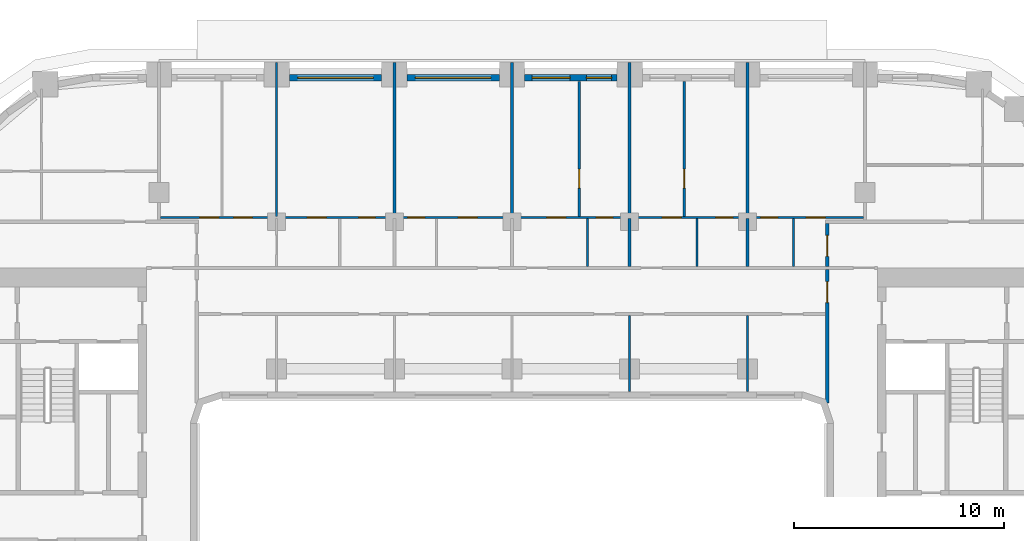
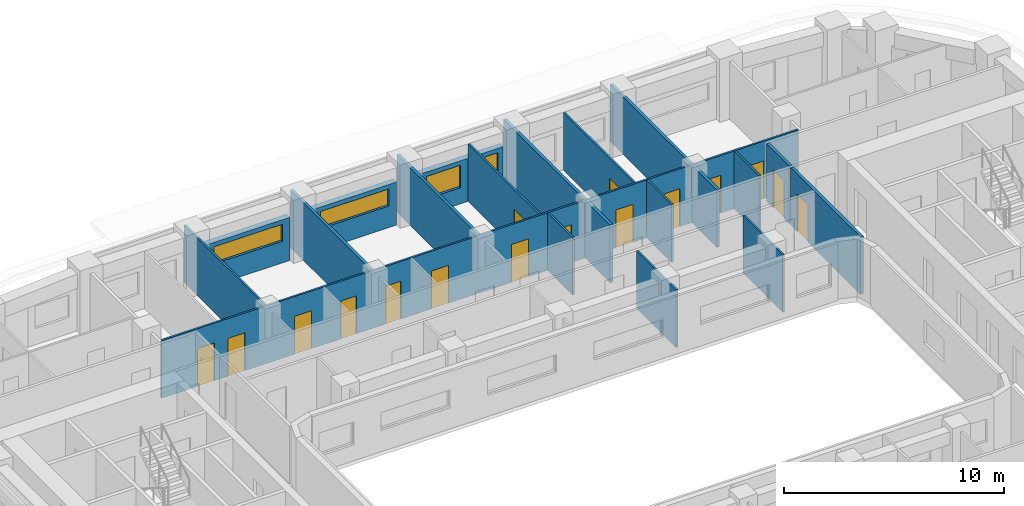
# One storey, part 10 of 23: 20 walls, 16 doors, 4 windows, 20 openings.
"""IFC4 building model written with IfcOpenShell, lengths in metres."""

from ifc_helpers import new_model, si_unit, direction, frame, frame_2d, origin, place, context, subcontext, project, spatial, rectangle, extrude, material, layer, layer_set, type_object, element, fill, save


model = new_model("IFC4")

# Units and contexts
model_context = context("Model", 3, precision=1e-05, world=origin(), true_north=direction((0.0, 1.0)))
body_context = subcontext(model_context, "Body", "Model", "MODEL_VIEW")
ifc_project = project(units=[si_unit("LENGTHUNIT", "METRE"), si_unit("AREAUNIT", "SQUARE_METRE"), si_unit("VOLUMEUNIT", "CUBIC_METRE"), si_unit("PLANEANGLEUNIT", "RADIAN"), si_unit("MASSUNIT", "GRAM", prefix="KILO")], contexts=[model_context])

# Site, building, storey
site_placement = place(None, origin())
site = spatial("IfcSite", under=ifc_project, at=site_placement, CompositionType="ELEMENT")
building_placement = place(site_placement, origin())
building = spatial("IfcBuilding", under=site, at=building_placement, Name="Kiln Ring Residences", CompositionType="ELEMENT")
storey_placement = place(building_placement, frame((0.0, 0.0, 118.300048828125)))
storey = spatial("IfcBuildingStorey", under=building, at=storey_placement, Name="L30", CompositionType="ELEMENT", Elevation=118.300048828125)

# Wall, openings, windows
ifc_material_1 = material(Name="Brick masonry, dark clay brick", Category="masonry")
ifc_layer_1 = layer(ifc_material_1, 0.300048828125)
ifc_layer_set_1 = layer_set([ifc_layer_1], Name="EW-300 BRICK WALL")
wall_type_1 = type_object("IfcWallType", Name="EW-300 BRICK WALL", PredefinedType="SOLIDWALL", material=ifc_layer_set_1)
wall_1_placement = place(storey_placement, frame((5.0, 22.25, 0.0), z_axis=(0.0, 0.0, 1.0), x_axis=(-1.0, 0.0, 0.0)))
wall_1 = element("IfcWall", 1, at=wall_1_placement, inside=storey, type_object=wall_type_1, Name="Facade wall L30 31", PredefinedType="SOLIDWALL", context=body_context, shape_type="SweptSolid", body=[
    extrude(rectangle(XDim=4.39990234375, YDim=0.300048828125, at=frame_2d((2.199951171875, 0.0))), origin(), (0.0, 0.0, 1.0), 2.39990234375),
])
opening_1_placement = place(wall_1_placement, frame((0.262451171875, 0.0, 0.60009765625)))
opening_1 = element("IfcOpeningElement", 2, at=opening_1_placement, cuts=wall_1, Name="Opening W1", PredefinedType="OPENING", context=body_context, shape_type="SweptSolid", body=[
    extrude(rectangle(XDim=1.199951171875, YDim=1.550048828125, at=frame_2d((0.60009765625, 0.77490234375))), frame((0.0, 0.159912109375, 0.0), z_axis=(0.0, -1.0, 0.0), x_axis=(1.0, 0.0, 0.0)), (0.0, 0.0, 1.0), 0.320068359375),
])
opening_2_placement = place(wall_1_placement, frame((2.237548828125, 0.0, 0.89990234375)))
opening_2 = element("IfcOpeningElement", 3, at=opening_2_placement, cuts=wall_1, Name="Opening W2", PredefinedType="OPENING", context=body_context, shape_type="SweptSolid", body=[
    extrude(rectangle(XDim=1.800048828125, YDim=1.25, at=frame_2d((0.89990234375, 0.625))), frame((0.0, 0.159912109375, 0.0), z_axis=(0.0, -1.0, 0.0), x_axis=(1.0, 0.0, 0.0)), (0.0, 0.0, 1.0), 0.320068359375),
])
ifc_material_2 = material(Name="Aluminium frame with double glazing", Category="aluminium")
window_type_1 = type_object("IfcWindowType", Name="WINDOW 1200 x 1550", PartitioningType="SINGLE_PANEL", PredefinedType="WINDOW", material=ifc_material_2)
window_1_placement = place(opening_1_placement, origin())
window_1 = element("IfcWindow", 4, at=window_1_placement, inside=storey, type_object=window_type_1, Name="Window L30 18", OverallHeight=1.550048828125, OverallWidth=1.199951171875, PartitioningType="SINGLE_PANEL", PredefinedType="WINDOW", context=body_context, shape_type="SweptSolid", body=[
    extrude(rectangle(XDim=1.199951171875, YDim=1.550048828125, at=frame_2d((0.60009765625, 0.77490234375))), frame((0.0, 0.030029296875, 0.0), z_axis=(0.0, -1.0, 0.0), x_axis=(1.0, 0.0, 0.0)), (0.0, 0.0, 1.0), 0.06005859375),
])
fill(opening_1, window_1)
ifc_material_3 = material(Name="Aluminium frame with double glazing", Category="aluminium")
window_type_2 = type_object("IfcWindowType", Name="WINDOW 1800 x 1250", PartitioningType="SINGLE_PANEL", PredefinedType="WINDOW", material=ifc_material_3)
window_2_placement = place(opening_2_placement, origin())
window_2 = element("IfcWindow", 5, at=window_2_placement, inside=storey, type_object=window_type_2, Name="Window L30 19", OverallHeight=1.25, OverallWidth=1.800048828125, PartitioningType="SINGLE_PANEL", PredefinedType="WINDOW", context=body_context, shape_type="SweptSolid", body=[
    extrude(rectangle(XDim=1.800048828125, YDim=1.25, at=frame_2d((0.89990234375, 0.625))), frame((0.0, 0.030029296875, 0.0), z_axis=(0.0, -1.0, 0.0), x_axis=(1.0, 0.0, 0.0)), (0.0, 0.0, 1.0), 0.06005859375),
])
fill(opening_2, window_2)

# Wall, opening, window
wall_2_placement = place(storey_placement, frame((-0.60009765625, 22.25, 0.0), z_axis=(0.0, 0.0, 1.0), x_axis=(-1.0, 0.0, 0.0)))
wall_2 = element("IfcWall", 6, at=wall_2_placement, inside=storey, type_object=wall_type_1, Name="Facade wall L30 32", PredefinedType="SOLIDWALL", context=body_context, shape_type="SweptSolid", body=[
    extrude(rectangle(XDim=4.39990234375, YDim=0.300048828125, at=frame_2d((2.199951171875, 0.0))), origin(), (0.0, 0.0, 1.0), 2.39990234375),
])
opening_3_placement = place(wall_2_placement, frame((0.39990234375, 0.0, 1.199951171875)))
opening_3 = element("IfcOpeningElement", 7, at=opening_3_placement, cuts=wall_2, Name="Opening W4", PredefinedType="OPENING", context=body_context, shape_type="SweptSolid", body=[
    extrude(rectangle(XDim=3.60009765625, YDim=0.949951171875, at=frame_2d((1.800048828125, 0.47509765625))), frame((0.0, 0.159912109375, 0.0), z_axis=(0.0, -1.0, 0.0), x_axis=(1.0, 0.0, 0.0)), (0.0, 0.0, 1.0), 0.320068359375),
])
ifc_material_4 = material(Name="Aluminium frame with double glazing", Category="aluminium")
window_type_3 = type_object("IfcWindowType", Name="WINDOW 3600 x 950", PartitioningType="SINGLE_PANEL", PredefinedType="WINDOW", material=ifc_material_4)
window_3_placement = place(opening_3_placement, origin())
window_3 = element("IfcWindow", 8, at=window_3_placement, inside=storey, type_object=window_type_3, Name="Window L30 20", OverallHeight=0.949951171875, OverallWidth=3.60009765625, PartitioningType="SINGLE_PANEL", PredefinedType="WINDOW", context=body_context, shape_type="SweptSolid", body=[
    extrude(rectangle(XDim=3.60009765625, YDim=0.949951171875, at=frame_2d((1.800048828125, 0.47509765625))), frame((0.0, 0.030029296875, 0.0), z_axis=(0.0, -1.0, 0.0), x_axis=(1.0, 0.0, 0.0)), (0.0, 0.0, 1.0), 0.06005859375),
])
fill(opening_3, window_3)

wall_3_placement = place(storey_placement, frame((-6.199951171875, 22.25, 0.0), z_axis=(0.0, 0.0, 1.0), x_axis=(-1.0, 0.0, 0.0)))
wall_3 = element("IfcWall", 9, at=wall_3_placement, inside=storey, type_object=wall_type_1, Name="Facade wall L30 33", PredefinedType="SOLIDWALL", context=body_context, shape_type="SweptSolid", body=[
    extrude(rectangle(XDim=4.400146484375, YDim=0.300048828125, at=frame_2d((2.2001953125, 0.0))), origin(), (0.0, 0.0, 1.0), 2.39990234375),
])
opening_4_placement = place(wall_3_placement, frame((0.39990234375, 0.0, 1.199951171875)))
opening_4 = element("IfcOpeningElement", 10, at=opening_4_placement, cuts=wall_3, Name="Opening W4", PredefinedType="OPENING", context=body_context, shape_type="SweptSolid", body=[
    extrude(rectangle(XDim=3.60009765625, YDim=0.949951171875, at=frame_2d((1.800048828125, 0.47509765625))), frame((0.0, 0.159912109375, 0.0), z_axis=(0.0, -1.0, 0.0), x_axis=(1.0, 0.0, 0.0)), (0.0, 0.0, 1.0), 0.320068359375),
])
window_4_placement = place(opening_4_placement, origin())
window_4 = element("IfcWindow", 11, at=window_4_placement, inside=storey, type_object=window_type_3, Name="Window L30 21", OverallHeight=0.949951171875, OverallWidth=3.60009765625, PartitioningType="SINGLE_PANEL", PredefinedType="WINDOW", context=body_context, shape_type="SweptSolid", body=[
    extrude(rectangle(XDim=3.60009765625, YDim=0.949951171875, at=frame_2d((1.800048828125, 0.47509765625))), frame((0.0, 0.030029296875, 0.0), z_axis=(0.0, -1.0, 0.0), x_axis=(1.0, 0.0, 0.0)), (0.0, 0.0, 1.0), 0.06005859375),
])
fill(opening_4, window_4)

# Wall, openings, doors
ifc_material_5 = material(Name="Gypsum board on steel studs", Category="steel")
ifc_layer_2 = layer(ifc_material_5, 0.10009765625)
ifc_layer_set_2 = layer_set([ifc_layer_2], Name="PARTITION-100")
wall_type_2 = type_object("IfcWallType", Name="PARTITION-100", PredefinedType="PARTITIONING", material=ifc_layer_set_2)
wall_4_placement = place(storey_placement, frame((-16.72509765625, 15.60009765625, 0.0), z_axis=(0.0, 0.0, 1.0), x_axis=(1.0, 0.0, 0.0)))
wall_4 = element("IfcWall", 12, at=wall_4_placement, inside=storey, type_object=wall_type_2, Name="Partition 011", PredefinedType="PARTITIONING", context=body_context, shape_type="SweptSolid", body=[
    extrude(rectangle(XDim=33.4501953125, YDim=0.10009765625, at=frame_2d((16.72509765625, 0.0))), origin(), (0.0, 0.0, 1.0), 3.199951171875),
])
opening_5_placement = place(wall_4_placement, frame((9.425048828125, 0.0, 0.0)))
opening_5 = element("IfcOpeningElement", 13, at=opening_5_placement, cuts=wall_4, Name="Opening L30-D017", PredefinedType="OPENING", context=body_context, shape_type="SweptSolid", body=[
    extrude(rectangle(XDim=0.800048828125, YDim=2.10009765625, at=frame_2d((0.39990234375, 1.050048828125))), frame((0.0, 0.06005859375, 0.0), z_axis=(0.0, -1.0, 0.0), x_axis=(1.0, 0.0, 0.0)), (0.0, 0.0, 1.0), 0.1201171875),
])
opening_6_placement = place(wall_4_placement, frame((6.97509765625, 0.0, 0.0)))
opening_6 = element("IfcOpeningElement", 14, at=opening_6_placement, cuts=wall_4, Name="Opening L30-D018", PredefinedType="OPENING", context=body_context, shape_type="SweptSolid", body=[
    extrude(rectangle(XDim=0.89990234375, YDim=2.10009765625, at=frame_2d((0.449951171875, 1.050048828125))), frame((0.0, 0.06005859375, 0.0), z_axis=(0.0, -1.0, 0.0), x_axis=(1.0, 0.0, 0.0)), (0.0, 0.0, 1.0), 0.1201171875),
])
opening_7_placement = place(wall_4_placement, frame((1.875, 0.0, 0.0)))
opening_7 = element("IfcOpeningElement", 15, at=opening_7_placement, cuts=wall_4, Name="Opening L30-D019", PredefinedType="OPENING", context=body_context, shape_type="SweptSolid", body=[
    extrude(rectangle(XDim=0.89990234375, YDim=2.10009765625, at=frame_2d((0.449951171875, 1.050048828125))), frame((0.0, 0.06005859375, 0.0), z_axis=(0.0, -1.0, 0.0), x_axis=(1.0, 0.0, 0.0)), (0.0, 0.0, 1.0), 0.1201171875),
])
opening_8_placement = place(wall_4_placement, frame((3.47509765625, 0.0, 0.0)))
opening_8 = element("IfcOpeningElement", 16, at=opening_8_placement, cuts=wall_4, Name="Opening L30-D020", PredefinedType="OPENING", context=body_context, shape_type="SweptSolid", body=[
    extrude(rectangle(XDim=0.89990234375, YDim=2.10009765625, at=frame_2d((0.449951171875, 1.050048828125))), frame((0.0, 0.06005859375, 0.0), z_axis=(0.0, -1.0, 0.0), x_axis=(1.0, 0.0, 0.0)), (0.0, 0.0, 1.0), 0.1201171875),
])
opening_9_placement = place(wall_4_placement, frame((11.77490234375, 0.0, 0.0)))
opening_9 = element("IfcOpeningElement", 17, at=opening_9_placement, cuts=wall_4, Name="Opening L30-D022", PredefinedType="OPENING", context=body_context, shape_type="SweptSolid", body=[
    extrude(rectangle(XDim=0.800048828125, YDim=2.10009765625, at=frame_2d((0.39990234375, 1.050048828125))), frame((0.0, 0.06005859375, 0.0), z_axis=(0.0, -1.0, 0.0), x_axis=(1.0, 0.0, 0.0)), (0.0, 0.0, 1.0), 0.1201171875),
])
opening_10_placement = place(wall_4_placement, frame((14.175048828125, 0.0, 0.0)))
opening_10 = element("IfcOpeningElement", 18, at=opening_10_placement, cuts=wall_4, Name="Opening L30-D023", PredefinedType="OPENING", context=body_context, shape_type="SweptSolid", body=[
    extrude(rectangle(XDim=0.89990234375, YDim=2.10009765625, at=frame_2d((0.449951171875, 1.050048828125))), frame((0.0, 0.06005859375, 0.0), z_axis=(0.0, -1.0, 0.0), x_axis=(1.0, 0.0, 0.0)), (0.0, 0.0, 1.0), 0.1201171875),
])
opening_11_placement = place(wall_4_placement, frame((20.72509765625, 0.0, 0.0)))
opening_11 = element("IfcOpeningElement", 19, at=opening_11_placement, cuts=wall_4, Name="Opening L30-D025", PredefinedType="OPENING", context=body_context, shape_type="SweptSolid", body=[
    extrude(rectangle(XDim=0.800048828125, YDim=2.10009765625, at=frame_2d((0.39990234375, 1.050048828125))), frame((0.0, 0.06005859375, 0.0), z_axis=(0.0, -1.0, 0.0), x_axis=(1.0, 0.0, 0.0)), (0.0, 0.0, 1.0), 0.1201171875),
])
opening_12_placement = place(wall_4_placement, frame((18.375, 0.0, 0.0)))
opening_12 = element("IfcOpeningElement", 20, at=opening_12_placement, cuts=wall_4, Name="Opening L30-D026", PredefinedType="OPENING", context=body_context, shape_type="SweptSolid", body=[
    extrude(rectangle(XDim=0.89990234375, YDim=2.10009765625, at=frame_2d((0.449951171875, 1.050048828125))), frame((0.0, 0.06005859375, 0.0), z_axis=(0.0, -1.0, 0.0), x_axis=(1.0, 0.0, 0.0)), (0.0, 0.0, 1.0), 0.1201171875),
])
opening_13_placement = place(wall_4_placement, frame((26.425048828125, 0.0, 0.0)))
opening_13 = element("IfcOpeningElement", 21, at=opening_13_placement, cuts=wall_4, Name="Opening L30-D029", PredefinedType="OPENING", context=body_context, shape_type="SweptSolid", body=[
    extrude(rectangle(XDim=0.800048828125, YDim=2.10009765625, at=frame_2d((0.39990234375, 1.050048828125))), frame((0.0, 0.06005859375, 0.0), z_axis=(0.0, -1.0, 0.0), x_axis=(1.0, 0.0, 0.0)), (0.0, 0.0, 1.0), 0.1201171875),
])
opening_14_placement = place(wall_4_placement, frame((23.875, 0.0, 0.0)))
opening_14 = element("IfcOpeningElement", 22, at=opening_14_placement, cuts=wall_4, Name="Opening L30-D030", PredefinedType="OPENING", context=body_context, shape_type="SweptSolid", body=[
    extrude(rectangle(XDim=0.89990234375, YDim=2.10009765625, at=frame_2d((0.449951171875, 1.050048828125))), frame((0.0, 0.06005859375, 0.0), z_axis=(0.0, -1.0, 0.0), x_axis=(1.0, 0.0, 0.0)), (0.0, 0.0, 1.0), 0.1201171875),
])
opening_15_placement = place(wall_4_placement, frame((28.574951171875, 0.0, 0.0)))
opening_15 = element("IfcOpeningElement", 23, at=opening_15_placement, cuts=wall_4, Name="Opening L30-D033", PredefinedType="OPENING", context=body_context, shape_type="SweptSolid", body=[
    extrude(rectangle(XDim=0.800048828125, YDim=2.10009765625, at=frame_2d((0.39990234375, 1.050048828125))), frame((0.0, 0.06005859375, 0.0), z_axis=(0.0, -1.0, 0.0), x_axis=(1.0, 0.0, 0.0)), (0.0, 0.0, 1.0), 0.1201171875),
])
opening_16_placement = place(wall_4_placement, frame((30.72509765625, 0.0, 0.0)))
opening_16 = element("IfcOpeningElement", 24, at=opening_16_placement, cuts=wall_4, Name="Opening L30-D034", PredefinedType="OPENING", context=body_context, shape_type="SweptSolid", body=[
    extrude(rectangle(XDim=0.89990234375, YDim=2.10009765625, at=frame_2d((0.449951171875, 1.050048828125))), frame((0.0, 0.06005859375, 0.0), z_axis=(0.0, -1.0, 0.0), x_axis=(1.0, 0.0, 0.0)), (0.0, 0.0, 1.0), 0.1201171875),
])
ifc_material_6 = material(Name="Timber door leaf", Category="wood")
door_type_1 = type_object("IfcDoorType", Name="FLAT-DOOR-800-PL", OperationType="SINGLE_SWING_LEFT", PredefinedType="DOOR", material=ifc_material_6)
door_1_placement = place(opening_5_placement, origin())
door_1 = element("IfcDoor", 25, at=door_1_placement, inside=storey, type_object=door_type_1, Name="Door L30-D017", OperationType="SINGLE_SWING_LEFT", OverallHeight=2.10009765625, OverallWidth=0.800048828125, PredefinedType="DOOR", context=body_context, shape_type="SweptSolid", body=[
    extrude(rectangle(XDim=0.800048828125, YDim=2.10009765625, at=frame_2d((0.39990234375, 1.050048828125))), frame((0.0, 0.02490234375, 0.0), z_axis=(0.0, -1.0, 0.0), x_axis=(1.0, 0.0, 0.0)), (0.0, 0.0, 1.0), 0.050048828125),
])
fill(opening_5, door_1)
door_2_placement = place(opening_9_placement, origin())
door_2 = element("IfcDoor", 26, at=door_2_placement, inside=storey, type_object=door_type_1, Name="Door L30-D022", OperationType="SINGLE_SWING_RIGHT", OverallHeight=2.10009765625, OverallWidth=0.800048828125, PredefinedType="DOOR", context=body_context, shape_type="SweptSolid", body=[
    extrude(rectangle(XDim=0.800048828125, YDim=2.10009765625, at=frame_2d((0.39990234375, 1.050048828125))), frame((0.0, 0.02490234375, 0.0), z_axis=(0.0, -1.0, 0.0), x_axis=(1.0, 0.0, 0.0)), (0.0, 0.0, 1.0), 0.050048828125),
])
fill(opening_9, door_2)
door_3_placement = place(opening_11_placement, origin())
door_3 = element("IfcDoor", 27, at=door_3_placement, inside=storey, type_object=door_type_1, Name="Door L30-D025", OperationType="SINGLE_SWING_LEFT", OverallHeight=2.10009765625, OverallWidth=0.800048828125, PredefinedType="DOOR", context=body_context, shape_type="SweptSolid", body=[
    extrude(rectangle(XDim=0.800048828125, YDim=2.10009765625, at=frame_2d((0.39990234375, 1.050048828125))), frame((0.0, 0.02490234375, 0.0), z_axis=(0.0, -1.0, 0.0), x_axis=(1.0, 0.0, 0.0)), (0.0, 0.0, 1.0), 0.050048828125),
])
fill(opening_11, door_3)
door_4_placement = place(opening_13_placement, origin())
door_4 = element("IfcDoor", 28, at=door_4_placement, inside=storey, type_object=door_type_1, Name="Door L30-D029", OperationType="SINGLE_SWING_LEFT", OverallHeight=2.10009765625, OverallWidth=0.800048828125, PredefinedType="DOOR", context=body_context, shape_type="SweptSolid", body=[
    extrude(rectangle(XDim=0.800048828125, YDim=2.10009765625, at=frame_2d((0.39990234375, 1.050048828125))), frame((0.0, 0.02490234375, 0.0), z_axis=(0.0, -1.0, 0.0), x_axis=(1.0, 0.0, 0.0)), (0.0, 0.0, 1.0), 0.050048828125),
])
fill(opening_13, door_4)
door_5_placement = place(opening_15_placement, origin())
door_5 = element("IfcDoor", 29, at=door_5_placement, inside=storey, type_object=door_type_1, Name="Door L30-D033", OperationType="SINGLE_SWING_LEFT", OverallHeight=2.10009765625, OverallWidth=0.800048828125, PredefinedType="DOOR", context=body_context, shape_type="SweptSolid", body=[
    extrude(rectangle(XDim=0.800048828125, YDim=2.10009765625, at=frame_2d((0.39990234375, 1.050048828125))), frame((0.0, 0.02490234375, 0.0), z_axis=(0.0, -1.0, 0.0), x_axis=(1.0, 0.0, 0.0)), (0.0, 0.0, 1.0), 0.050048828125),
])
fill(opening_15, door_5)
ifc_material_7 = material(Name="Timber door leaf", Category="wood")
door_type_2 = type_object("IfcDoorType", Name="FLAT-DOOR-900-PL", OperationType="SINGLE_SWING_LEFT", PredefinedType="DOOR", material=ifc_material_7)
door_6_placement = place(opening_6_placement, origin())
door_6 = element("IfcDoor", 30, at=door_6_placement, inside=storey, type_object=door_type_2, Name="Door L30-D018", OperationType="SINGLE_SWING_LEFT", OverallHeight=2.10009765625, OverallWidth=0.89990234375, PredefinedType="DOOR", context=body_context, shape_type="SweptSolid", body=[
    extrude(rectangle(XDim=0.89990234375, YDim=2.10009765625, at=frame_2d((0.449951171875, 1.050048828125))), frame((0.0, 0.02490234375, 0.0), z_axis=(0.0, -1.0, 0.0), x_axis=(1.0, 0.0, 0.0)), (0.0, 0.0, 1.0), 0.050048828125),
])
fill(opening_6, door_6)
door_7_placement = place(opening_7_placement, origin())
door_7 = element("IfcDoor", 31, at=door_7_placement, inside=storey, type_object=door_type_2, Name="Door L30-D019", OperationType="SINGLE_SWING_LEFT", OverallHeight=2.10009765625, OverallWidth=0.89990234375, PredefinedType="DOOR", context=body_context, shape_type="SweptSolid", body=[
    extrude(rectangle(XDim=0.89990234375, YDim=2.10009765625, at=frame_2d((0.449951171875, 1.050048828125))), frame((0.0, 0.02490234375, 0.0), z_axis=(0.0, -1.0, 0.0), x_axis=(1.0, 0.0, 0.0)), (0.0, 0.0, 1.0), 0.050048828125),
])
fill(opening_7, door_7)
door_8_placement = place(opening_8_placement, origin())
door_8 = element("IfcDoor", 32, at=door_8_placement, inside=storey, type_object=door_type_2, Name="Door L30-D020", OperationType="SINGLE_SWING_RIGHT", OverallHeight=2.10009765625, OverallWidth=0.89990234375, PredefinedType="DOOR", context=body_context, shape_type="SweptSolid", body=[
    extrude(rectangle(XDim=0.89990234375, YDim=2.10009765625, at=frame_2d((0.449951171875, 1.050048828125))), frame((0.0, 0.02490234375, 0.0), z_axis=(0.0, -1.0, 0.0), x_axis=(1.0, 0.0, 0.0)), (0.0, 0.0, 1.0), 0.050048828125),
])
fill(opening_8, door_8)
door_9_placement = place(opening_10_placement, origin())
door_9 = element("IfcDoor", 33, at=door_9_placement, inside=storey, type_object=door_type_2, Name="Door L30-D023", OperationType="SINGLE_SWING_RIGHT", OverallHeight=2.10009765625, OverallWidth=0.89990234375, PredefinedType="DOOR", context=body_context, shape_type="SweptSolid", body=[
    extrude(rectangle(XDim=0.89990234375, YDim=2.10009765625, at=frame_2d((0.449951171875, 1.050048828125))), frame((0.0, 0.02490234375, 0.0), z_axis=(0.0, -1.0, 0.0), x_axis=(1.0, 0.0, 0.0)), (0.0, 0.0, 1.0), 0.050048828125),
])
fill(opening_10, door_9)
door_10_placement = place(opening_12_placement, origin())
door_10 = element("IfcDoor", 34, at=door_10_placement, inside=storey, type_object=door_type_2, Name="Door L30-D026", OperationType="SINGLE_SWING_LEFT", OverallHeight=2.10009765625, OverallWidth=0.89990234375, PredefinedType="DOOR", context=body_context, shape_type="SweptSolid", body=[
    extrude(rectangle(XDim=0.89990234375, YDim=2.10009765625, at=frame_2d((0.449951171875, 1.050048828125))), frame((0.0, 0.02490234375, 0.0), z_axis=(0.0, -1.0, 0.0), x_axis=(1.0, 0.0, 0.0)), (0.0, 0.0, 1.0), 0.050048828125),
])
fill(opening_12, door_10)
door_11_placement = place(opening_14_placement, origin())
door_11 = element("IfcDoor", 35, at=door_11_placement, inside=storey, type_object=door_type_2, Name="Door L30-D030", OperationType="SINGLE_SWING_LEFT", OverallHeight=2.10009765625, OverallWidth=0.89990234375, PredefinedType="DOOR", context=body_context, shape_type="SweptSolid", body=[
    extrude(rectangle(XDim=0.89990234375, YDim=2.10009765625, at=frame_2d((0.449951171875, 1.050048828125))), frame((0.0, 0.02490234375, 0.0), z_axis=(0.0, -1.0, 0.0), x_axis=(1.0, 0.0, 0.0)), (0.0, 0.0, 1.0), 0.050048828125),
])
fill(opening_14, door_11)
door_12_placement = place(opening_16_placement, origin())
door_12 = element("IfcDoor", 36, at=door_12_placement, inside=storey, type_object=door_type_2, Name="Door L30-D034", OperationType="SINGLE_SWING_RIGHT", OverallHeight=2.10009765625, OverallWidth=0.89990234375, PredefinedType="DOOR", context=body_context, shape_type="SweptSolid", body=[
    extrude(rectangle(XDim=0.89990234375, YDim=2.10009765625, at=frame_2d((0.449951171875, 1.050048828125))), frame((0.0, 0.02490234375, 0.0), z_axis=(0.0, -1.0, 0.0), x_axis=(1.0, 0.0, 0.0)), (0.0, 0.0, 1.0), 0.050048828125),
])
fill(opening_16, door_12)

# Wall
wall_5_placement = place(storey_placement, frame((-11.199951171875, 15.64990234375, 0.0), z_axis=(0.0, 0.0, 1.0), x_axis=(0.0, 1.0, 0.0)))
element("IfcWall", 37, at=wall_5_placement, inside=storey, type_object=wall_type_2, Name="Partition 030", PredefinedType="PARTITIONING", context=body_context, shape_type="SweptSolid", body=[
    extrude(rectangle(XDim=7.330078125, YDim=0.10009765625, at=frame_2d((3.6650390625, 0.0))), origin(), (0.0, 0.0, 1.0), 3.199951171875),
])

# Wall, opening, door
wall_6_placement = place(storey_placement, frame((3.199951171875, 15.64990234375, 0.0), z_axis=(0.0, 0.0, 1.0), x_axis=(0.0, 1.0, 0.0)))
wall_6 = element("IfcWall", 38, at=wall_6_placement, inside=storey, type_object=wall_type_2, Name="Partition 049", PredefinedType="PARTITIONING", context=body_context, shape_type="SweptSolid", body=[
    extrude(rectangle(XDim=6.43017578125, YDim=0.10009765625, at=frame_2d((3.215087890625, 0.0))), origin(), (0.0, 0.0, 1.0), 3.199951171875),
])
opening_17_placement = place(wall_6_placement, frame((1.35009765625, 0.0, 0.0)))
opening_17 = element("IfcOpeningElement", 39, at=opening_17_placement, cuts=wall_6, Name="Opening L30-D027", PredefinedType="OPENING", context=body_context, shape_type="SweptSolid", body=[
    extrude(rectangle(XDim=0.89990234375, YDim=2.10009765625, at=frame_2d((0.449951171875, 1.050048828125))), frame((0.0, 0.06005859375, 0.0), z_axis=(0.0, -1.0, 0.0), x_axis=(1.0, 0.0, 0.0)), (0.0, 0.0, 1.0), 0.1201171875),
])
door_13_placement = place(opening_17_placement, origin())
door_13 = element("IfcDoor", 40, at=door_13_placement, inside=storey, type_object=door_type_2, Name="Door L30-D027", OperationType="SINGLE_SWING_LEFT", OverallHeight=2.10009765625, OverallWidth=0.89990234375, PredefinedType="DOOR", context=body_context, shape_type="SweptSolid", body=[
    extrude(rectangle(XDim=0.89990234375, YDim=2.10009765625, at=frame_2d((0.449951171875, 1.050048828125))), frame((0.0, 0.02490234375, 0.0), z_axis=(0.0, -1.0, 0.0), x_axis=(1.0, 0.0, 0.0)), (0.0, 0.0, 1.0), 0.050048828125),
])
fill(opening_17, door_13)

# Walls
wall_7_placement = place(storey_placement, frame((3.60009765625, 13.27490234375, 0.0), z_axis=(0.0, 0.0, 1.0), x_axis=(0.0, 1.0, 0.0)))
element("IfcWall", 41, at=wall_7_placement, inside=storey, type_object=wall_type_2, Name="Partition 050", PredefinedType="PARTITIONING", context=body_context, shape_type="SweptSolid", body=[
    extrude(rectangle(XDim=2.275146484375, YDim=0.10009765625, at=frame_2d((1.1376953125, 0.0))), origin(), (0.0, 0.0, 1.0), 3.199951171875),
])
wall_8_placement = place(storey_placement, frame((5.60009765625, 7.320068359375, 0.0), z_axis=(0.0, 0.0, 1.0), x_axis=(0.0, 1.0, 0.0)))
element("IfcWall", 42, at=wall_8_placement, inside=storey, type_object=wall_type_2, Name="Partition 051", PredefinedType="PARTITIONING", context=body_context, shape_type="SweptSolid", body=[
    extrude(rectangle(XDim=3.60498046875, YDim=0.10009765625, at=frame_2d((1.802490234375, 0.0))), origin(), (0.0, 0.0, 1.0), 3.199951171875),
])

# Wall, opening, door
wall_9_placement = place(storey_placement, frame((8.199951171875, 15.64990234375, 0.0), z_axis=(0.0, 0.0, 1.0), x_axis=(0.0, 1.0, 0.0)))
wall_9 = element("IfcWall", 43, at=wall_9_placement, inside=storey, type_object=wall_type_2, Name="Partition 058", PredefinedType="PARTITIONING", context=body_context, shape_type="SweptSolid", body=[
    extrude(rectangle(XDim=6.43017578125, YDim=0.10009765625, at=frame_2d((3.215087890625, 0.0))), origin(), (0.0, 0.0, 1.0), 3.199951171875),
])
opening_18_placement = place(wall_9_placement, frame((1.35009765625, 0.0, 0.0)))
opening_18 = element("IfcOpeningElement", 44, at=opening_18_placement, cuts=wall_9, Name="Opening L30-D031", PredefinedType="OPENING", context=body_context, shape_type="SweptSolid", body=[
    extrude(rectangle(XDim=0.89990234375, YDim=2.10009765625, at=frame_2d((0.449951171875, 1.050048828125))), frame((0.0, 0.06005859375, 0.0), z_axis=(0.0, -1.0, 0.0), x_axis=(1.0, 0.0, 0.0)), (0.0, 0.0, 1.0), 0.1201171875),
])
door_14_placement = place(opening_18_placement, origin())
door_14 = element("IfcDoor", 45, at=door_14_placement, inside=storey, type_object=door_type_2, Name="Door L30-D031", OperationType="SINGLE_SWING_LEFT", OverallHeight=2.10009765625, OverallWidth=0.89990234375, PredefinedType="DOOR", context=body_context, shape_type="SweptSolid", body=[
    extrude(rectangle(XDim=0.89990234375, YDim=2.10009765625, at=frame_2d((0.449951171875, 1.050048828125))), frame((0.0, 0.02490234375, 0.0), z_axis=(0.0, -1.0, 0.0), x_axis=(1.0, 0.0, 0.0)), (0.0, 0.0, 1.0), 0.050048828125),
])
fill(opening_18, door_14)

# Walls
wall_10_placement = place(storey_placement, frame((8.800048828125, 13.27490234375, 0.0), z_axis=(0.0, 0.0, 1.0), x_axis=(0.0, 1.0, 0.0)))
element("IfcWall", 46, at=wall_10_placement, inside=storey, type_object=wall_type_2, Name="Partition 060", PredefinedType="PARTITIONING", context=body_context, shape_type="SweptSolid", body=[
    extrude(rectangle(XDim=2.275146484375, YDim=0.10009765625, at=frame_2d((1.1376953125, 0.0))), origin(), (0.0, 0.0, 1.0), 3.199951171875),
])
wall_11_placement = place(storey_placement, frame((11.199951171875, 7.320068359375, 0.0), z_axis=(0.0, 0.0, 1.0), x_axis=(0.0, 1.0, 0.0)))
element("IfcWall", 47, at=wall_11_placement, inside=storey, type_object=wall_type_2, Name="Partition 063", PredefinedType="PARTITIONING", context=body_context, shape_type="SweptSolid", body=[
    extrude(rectangle(XDim=3.60498046875, YDim=0.10009765625, at=frame_2d((1.802490234375, 0.0))), origin(), (0.0, 0.0, 1.0), 3.199951171875),
])
wall_12_placement = place(storey_placement, frame((13.39990234375, 13.27490234375, 0.0), z_axis=(0.0, 0.0, 1.0), x_axis=(0.0, 1.0, 0.0)))
element("IfcWall", 48, at=wall_12_placement, inside=storey, type_object=wall_type_2, Name="Partition 068", PredefinedType="PARTITIONING", context=body_context, shape_type="SweptSolid", body=[
    extrude(rectangle(XDim=2.275146484375, YDim=0.10009765625, at=frame_2d((1.1376953125, 0.0))), origin(), (0.0, 0.0, 1.0), 3.199951171875),
])
ifc_material_8 = material(Name="Brick masonry partition", Category="masonry")
ifc_layer_3 = layer(ifc_material_8, 0.14990234375)
ifc_layer_set_3 = layer_set([ifc_layer_3], Name="PARTITION-150-ei60")
wall_type_3 = type_object("IfcWallType", Name="PARTITION-150-ei60", PredefinedType="PARTITIONING", material=ifc_layer_set_3)
for number, where, z_axis, x_axis, name in (
    (49, (-5.60009765625, 15.64990234375, 0.0), (0.0, 0.0, 1.0), (0.0, 1.0, 0.0), "Partition 038"),
    (50, (0.0, 15.64990234375, 0.0), (0.0, 0.0, 1.0), (0.0, 1.0, 0.0), "Partition 046"),
):
    element("IfcWall", number, at=place(storey_placement, frame(where, z_axis=z_axis, x_axis=x_axis)), inside=storey, type_object=wall_type_3, Name=name, PredefinedType="PARTITIONING", context=body_context, shape_type="SweptSolid", body=[
        extrude(rectangle(XDim=7.330078125, YDim=0.14990234375, at=frame_2d((3.6650390625, 0.0))), origin(), (0.0, 0.0, 1.0), 3.199951171875),
    ])
wall_13_placement = place(storey_placement, frame((5.60009765625, 13.27490234375, 0.0), z_axis=(0.0, 0.0, 1.0), x_axis=(0.0, 1.0, 0.0)))
element("IfcWall", 51, at=wall_13_placement, inside=storey, type_object=wall_type_3, Name="Partition 055", PredefinedType="PARTITIONING", context=body_context, shape_type="SweptSolid", body=[
    extrude(rectangle(XDim=2.275146484375, YDim=0.14990234375, at=frame_2d((1.1376953125, 0.0))), origin(), (0.0, 0.0, 1.0), 3.199951171875),
])
wall_14_placement = place(storey_placement, frame((5.60009765625, 15.64990234375, 0.0), z_axis=(0.0, 0.0, 1.0), x_axis=(0.0, 1.0, 0.0)))
element("IfcWall", 52, at=wall_14_placement, inside=storey, type_object=wall_type_3, Name="Partition 056", PredefinedType="PARTITIONING", context=body_context, shape_type="SweptSolid", body=[
    extrude(rectangle(XDim=7.330078125, YDim=0.14990234375, at=frame_2d((3.6650390625, 0.0))), origin(), (0.0, 0.0, 1.0), 3.199951171875),
])
wall_15_placement = place(storey_placement, frame((11.199951171875, 13.27490234375, 0.0), z_axis=(0.0, 0.0, 1.0), x_axis=(0.0, 1.0, 0.0)))
element("IfcWall", 53, at=wall_15_placement, inside=storey, type_object=wall_type_3, Name="Partition 066", PredefinedType="PARTITIONING", context=body_context, shape_type="SweptSolid", body=[
    extrude(rectangle(XDim=2.275146484375, YDim=0.14990234375, at=frame_2d((1.1376953125, 0.0))), origin(), (0.0, 0.0, 1.0), 3.199951171875),
])
wall_16_placement = place(storey_placement, frame((11.199951171875, 15.64990234375, 0.0), z_axis=(0.0, 0.0, 1.0), x_axis=(0.0, 1.0, 0.0)))
element("IfcWall", 54, at=wall_16_placement, inside=storey, type_object=wall_type_3, Name="Partition 067", PredefinedType="PARTITIONING", context=body_context, shape_type="SweptSolid", body=[
    extrude(rectangle(XDim=7.330078125, YDim=0.14990234375, at=frame_2d((3.6650390625, 0.0))), origin(), (0.0, 0.0, 1.0), 3.199951171875),
])

# Wall, opening, door
wall_17_placement = place(storey_placement, frame((15.0, 6.768798828125, 0.0), z_axis=(0.0, 0.0, 1.0), x_axis=(0.0, 1.0, 0.0)))
wall_17 = element("IfcWall", 55, at=wall_17_placement, inside=storey, type_object=wall_type_3, Name="Partition 072", PredefinedType="PARTITIONING", context=body_context, shape_type="SweptSolid", body=[
    extrude(rectangle(XDim=6.356201171875, YDim=0.14990234375, at=frame_2d((3.17822265625, 0.0))), origin(), (0.0, 0.0, 1.0), 3.199951171875),
])
opening_19_placement = place(wall_17_placement, frame((4.78125, 0.0, 0.0)))
opening_19 = element("IfcOpeningElement", 56, at=opening_19_placement, cuts=wall_17, Name="Opening L30-D002", PredefinedType="OPENING", context=body_context, shape_type="SweptSolid", body=[
    extrude(rectangle(XDim=1.0, YDim=2.10009765625, at=frame_2d((0.5, 1.050048828125))), frame((0.0, 0.0849609375, 0.0), z_axis=(0.0, -1.0, 0.0), x_axis=(1.0, 0.0, 0.0)), (0.0, 0.0, 1.0), 0.169921875),
])
ifc_material_9 = material(Name="Steel faced fire door leaf", Category="steel")
door_type_3 = type_object("IfcDoorType", Name="FLAT-DOOR-1000-FR", OperationType="SINGLE_SWING_LEFT", PredefinedType="DOOR", material=ifc_material_9)
door_15_placement = place(opening_19_placement, origin())
door_15 = element("IfcDoor", 57, at=door_15_placement, inside=storey, type_object=door_type_3, Name="Door L30-D002", OperationType="SINGLE_SWING_LEFT", OverallHeight=2.10009765625, OverallWidth=1.0, PredefinedType="DOOR", context=body_context, shape_type="SweptSolid", body=[
    extrude(rectangle(XDim=1.0, YDim=2.10009765625, at=frame_2d((0.5, 1.050048828125))), frame((0.0, 0.02490234375, 0.0), z_axis=(0.0, -1.0, 0.0), x_axis=(1.0, 0.0, 0.0)), (0.0, 0.0, 1.0), 0.050048828125),
])
fill(opening_19, door_15)

wall_18_placement = place(storey_placement, frame((15.0, 13.27490234375, 0.0), z_axis=(0.0, 0.0, 1.0), x_axis=(0.0, 1.0, 0.0)))
wall_18 = element("IfcWall", 58, at=wall_18_placement, inside=storey, type_object=wall_type_3, Name="Partition 073", PredefinedType="PARTITIONING", context=body_context, shape_type="SweptSolid", body=[
    extrude(rectangle(XDim=2.050048828125, YDim=0.14990234375, at=frame_2d((1.02490234375, 0.0))), origin(), (0.0, 0.0, 1.0), 3.199951171875),
])
opening_20_placement = place(wall_18_placement, frame((0.47607421875, 0.0, 0.0)))
opening_20 = element("IfcOpeningElement", 59, at=opening_20_placement, cuts=wall_18, Name="Opening L30-D032", PredefinedType="OPENING", context=body_context, shape_type="SweptSolid", body=[
    extrude(rectangle(XDim=1.0, YDim=2.10009765625, at=frame_2d((0.5, 1.050048828125))), frame((0.0, 0.0849609375, 0.0), z_axis=(0.0, -1.0, 0.0), x_axis=(1.0, 0.0, 0.0)), (0.0, 0.0, 1.0), 0.169921875),
])
door_16_placement = place(opening_20_placement, origin())
door_16 = element("IfcDoor", 60, at=door_16_placement, inside=storey, type_object=door_type_3, Name="Door L30-D032", OperationType="SINGLE_SWING_RIGHT", OverallHeight=2.10009765625, OverallWidth=1.0, PredefinedType="DOOR", context=body_context, shape_type="SweptSolid", body=[
    extrude(rectangle(XDim=1.0, YDim=2.10009765625, at=frame_2d((0.5, 1.050048828125))), frame((0.0, 0.02490234375, 0.0), z_axis=(0.0, -1.0, 0.0), x_axis=(1.0, 0.0, 0.0)), (0.0, 0.0, 1.0), 0.050048828125),
])
fill(opening_20, door_16)

save(model, "model.ifc")
